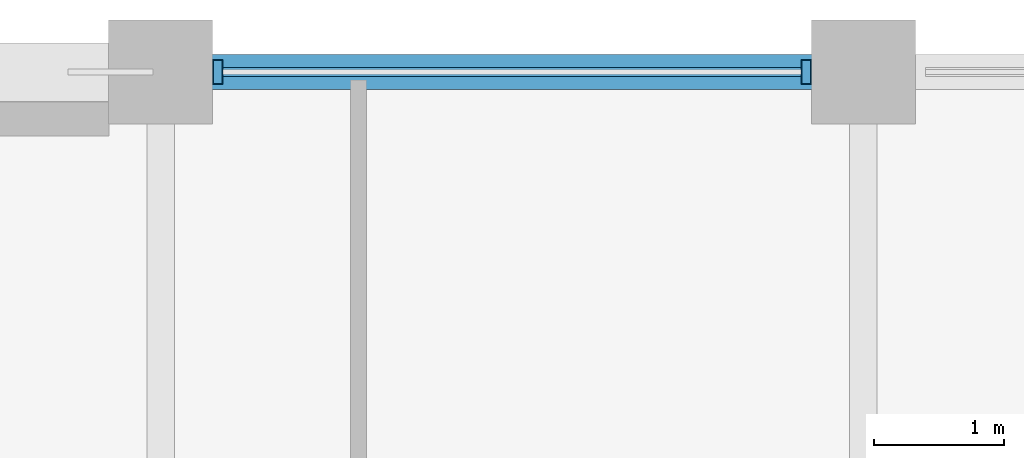
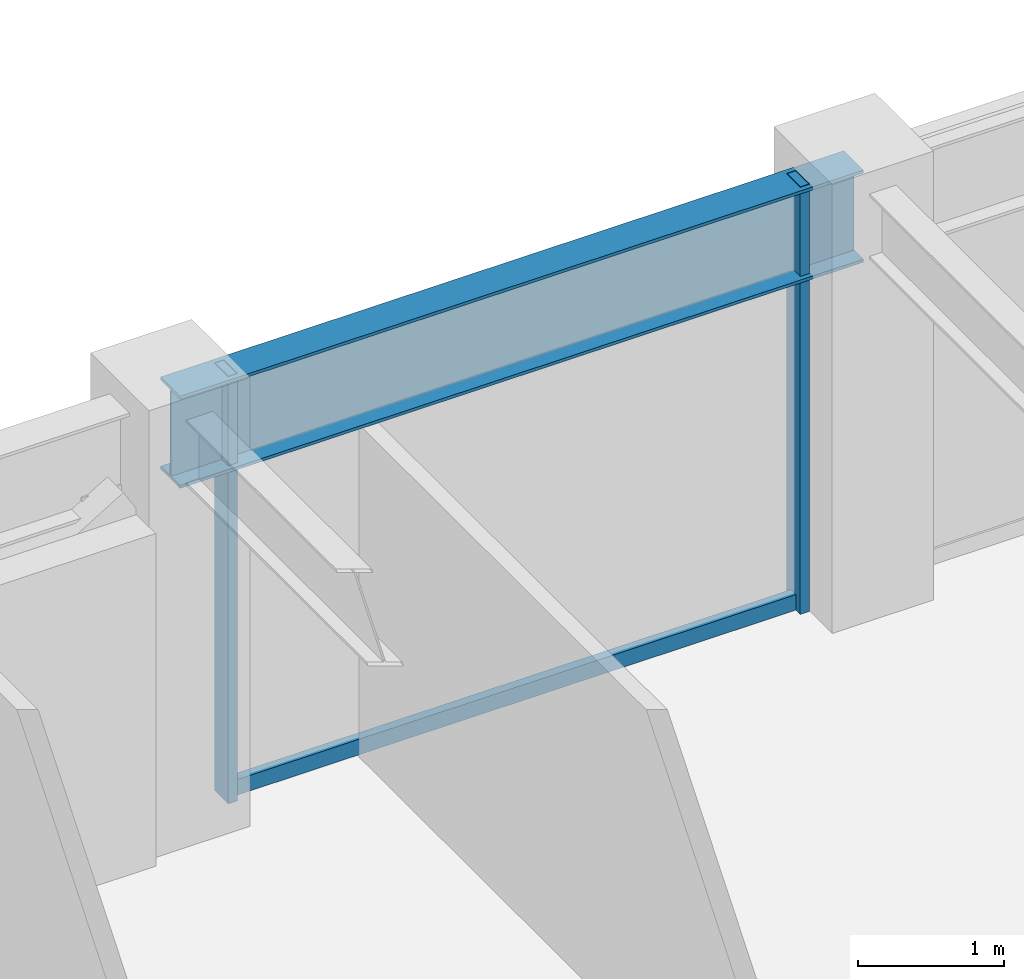
# One storey, part 23 of 32: 3 members, 1 beam, 1 element without a shape of its own.
"""IFC4 building model written with IfcOpenShell, lengths in metres."""

import ifcopenshell
import ifcopenshell.guid

model = None  # the IFC model being written
_history = None  # IfcOwnerHistory: only IFC2X3 demands one
_inside = {}  # id of a spatial element -> (the spatial element, [elements in it])
_under = {}  # id of a project, library or spatial element -> (it, [spatial elements below it])
_declared = {}  # id of a project -> (the project, [libraries it declares])
_typed = {}  # id of a type object -> (the type object, [elements of that type])
_made_of = {}  # id of a material, layer set ... -> (it, [elements and type objects made of it])


def new_model(schema):
    """Start an empty IFC model of exactly this schema.

    Asked for "IFC4X3", IfcOpenShell would pick the latest addendum, in which some entities
    have other attributes; the version numbers below select the first issue.
    IFC2X3 requires an IfcOwnerHistory on every rooted entity: one is made here for all.
    """
    global model, _history
    if schema == "IFC4X3":
        model = ifcopenshell.file(schema_version=(4, 3, 0, 0))
    else:
        model = ifcopenshell.file(schema=schema)
    _inside.clear()
    _under.clear()
    _declared.clear()
    _typed.clear()
    _made_of.clear()
    _history = None
    if model.schema == "IFC2X3":
        org = make("IfcOrganization", Name="unknown")
        user = make(
            "IfcPersonAndOrganization",
            ThePerson=make("IfcPerson", FamilyName="unknown"),
            TheOrganization=org,
        )
        app = make(
            "IfcApplication",
            ApplicationDeveloper=org,
            Version="unknown",
            ApplicationFullName="unknown",
            ApplicationIdentifier="unknown",
        )
        _history = make(
            "IfcOwnerHistory",
            OwningUser=user,
            OwningApplication=app,
            ChangeAction="ADDED",
            CreationDate=0,
        )
    return model


def make(cls, **values):
    """One entity of the class cls with the attributes given. An attribute that is None is left unset."""
    return model.create_entity(
        cls, **{name: value for name, value in values.items() if value is not None}
    )


def rooted(cls, **values):
    """An entity with a GlobalId (a new one), such as an element, a storey or a relation."""
    return make(cls, GlobalId=ifcopenshell.guid.new(), OwnerHistory=_history, **values)


def si_unit(unit_type, name, prefix=None):
    """IfcSIUnit, for example si_unit("LENGTHUNIT", "METRE", prefix="MILLI")."""
    return make("IfcSIUnit", UnitType=unit_type, Prefix=prefix, Name=name)


def assignment(units):
    """IfcUnitAssignment: the units of a project."""
    return None if units is None else make("IfcUnitAssignment", Units=units)


def point(xyz):
    """IfcCartesianPoint."""
    return None if xyz is None else make("IfcCartesianPoint", Coordinates=xyz)


def direction(xyz):
    """IfcDirection."""
    return None if xyz is None else make("IfcDirection", DirectionRatios=xyz)


def frame(location, z_axis=None, x_axis=None):
    """IfcAxis2Placement3D, a coordinate frame: its origin and axes. An axis left out is left unset."""
    return make(
        "IfcAxis2Placement3D",
        Location=point(location),
        Axis=direction(z_axis),
        RefDirection=direction(x_axis),
    )


def frame_2d(location, x_axis=None):
    """IfcAxis2Placement2D, a coordinate frame in the plane: its origin and x axis."""
    return make(
        "IfcAxis2Placement2D", Location=point(location), RefDirection=direction(x_axis)
    )


def origin():
    """The frame at (0, 0, 0) with its axes left unset."""
    return frame((0.0, 0.0, 0.0))


def origin_2d():
    """The frame at (0, 0) in the plane with its x axis left unset."""
    return frame_2d((0.0, 0.0))


def place(relative_to, where):
    """IfcLocalPlacement: puts the frame where relative to a parent placement (None: the world)."""
    return make(
        "IfcLocalPlacement", PlacementRelTo=relative_to, RelativePlacement=where
    )


def context(
    kind, dimensions, precision=None, world=None, true_north=None, identifier=None
):
    """IfcGeometricRepresentationContext, for example the 3D "Model" context."""
    return make(
        "IfcGeometricRepresentationContext",
        ContextIdentifier=identifier,
        ContextType=kind,
        CoordinateSpaceDimension=dimensions,
        Precision=precision,
        WorldCoordinateSystem=world,
        TrueNorth=true_north,
    )


def subcontext(parent, identifier, kind, view, scale=None):
    """IfcGeometricRepresentationSubContext, for example "Body" below "Model"."""
    return make(
        "IfcGeometricRepresentationSubContext",
        ContextIdentifier=identifier,
        ContextType=kind,
        ParentContext=parent,
        TargetScale=scale,
        TargetView=view,
    )


def project(units=None, contexts=None):
    """IfcProject with its units and contexts."""
    return rooted(
        "IfcProject",
        Name="project",
        RepresentationContexts=contexts,
        UnitsInContext=assignment(units),
    )


def spatial(cls, under=None, at=None, **own):
    """A site, building, storey or space (cls), placed at a placement, below another one or the project."""
    s = rooted(cls, ObjectPlacement=at, **own)
    if under is not None:
        _under.setdefault(under.id(), (under, []))[1].append(s)
    return s


def profile(cls, at=None, kind="AREA", **sizes):
    """A parametric profile (cls). Its sizes go by their IFC names, for example OverallWidth=200.0."""
    return make(cls, ProfileType=kind, Position=at, **sizes)


def hollow_rectangle(**sizes):
    """IfcRectangleHollowProfileDef."""
    return profile("IfcRectangleHollowProfileDef", **sizes)


def i_section(**sizes):
    """IfcIShapeProfileDef."""
    return profile("IfcIShapeProfileDef", **sizes)


def extrude(swept, where, along, depth):
    """IfcExtrudedAreaSolid: the profile swept, set in the frame where, extruded along a direction by depth."""
    return make(
        "IfcExtrudedAreaSolid",
        SweptArea=swept,
        Position=where,
        ExtrudedDirection=direction(along),
        Depth=depth,
    )


def shape(context_of_items, identifier, shape_type, items):
    """IfcShapeRepresentation: the items that make up one representation, for example the "Body"."""
    return make(
        "IfcShapeRepresentation",
        ContextOfItems=context_of_items,
        RepresentationIdentifier=identifier,
        RepresentationType=shape_type,
        Items=items,
    )


def material(Name=None, Category=None):
    """IfcMaterial."""
    return make("IfcMaterial", Name=Name, Category=Category)


def layer(
    of_material, thickness, ventilated=None, Name=None, Category=None, Priority=None
):
    """IfcMaterialLayer: one layer of a wall or slab, of a material (None: an air gap)."""
    return make(
        "IfcMaterialLayer",
        Material=of_material,
        LayerThickness=thickness,
        IsVentilated=ventilated,
        Name=Name,
        Category=Category,
        Priority=Priority,
    )


def layer_set(layers, Name=None):
    """IfcMaterialLayerSet."""
    return make("IfcMaterialLayerSet", MaterialLayers=layers, LayerSetName=Name)


def material_profile(
    of_material, cross_section, Name=None, Category=None, Priority=None
):
    """IfcMaterialProfile: a cross section and its material."""
    return make(
        "IfcMaterialProfile",
        Name=Name,
        Material=of_material,
        Profile=cross_section,
        Priority=Priority,
        Category=Category,
    )


def profile_set(profiles, Name=None, composite=None):
    """IfcMaterialProfileSet."""
    return make(
        "IfcMaterialProfileSet",
        Name=Name,
        MaterialProfiles=profiles,
        CompositeProfile=composite,
    )


def made_of(thing, what):
    """Note that an element or type object is made of a material, layer set ...; save() writes the relation."""
    if what is not None:
        _made_of.setdefault(what.id(), (what, []))[1].append(thing)
    return thing


def type_object(cls, material=None, **own):
    """A type object (cls), such as IfcWallType, which elements share."""
    return made_of(rooted(cls, **own), material)


def element(
    cls,
    number,
    at=None,
    inside=None,
    cuts=None,
    type_object=None,
    material=None,
    context=None,
    identifier="Body",
    shape_type=None,
    held_by="IfcProductDefinitionShape",
    body=None,
    shapes=None,
    **own,
):
    """One element of the class cls, such as IfcWall. Its Tag is "e" and its number.

    at: its placement. inside: the storey or other place that contains it. cuts: it is an
    opening in that element (IfcRelVoidsElement). A single representation is given by context,
    identifier, shape_type and body (its items); several are given by shapes. held_by: the class
    of the entity that holds the representations. save() writes the other relations.
    """
    e = rooted(cls, Tag="e%d" % number, ObjectPlacement=at, **own)
    if body is not None:
        shapes = [shape(context, identifier, shape_type, body)]
    if shapes is not None:
        e.Representation = make(held_by, Representations=shapes)
    if inside is not None:
        _inside.setdefault(inside.id(), (inside, []))[1].append(e)
    if cuts is not None:
        rooted(
            "IfcRelVoidsElement", RelatingBuildingElement=cuts, RelatedOpeningElement=e
        )
    if type_object is not None:
        _typed.setdefault(type_object.id(), (type_object, []))[1].append(e)
    return made_of(e, material)


def aggregate(whole, parts):
    """IfcRelAggregates: a whole, such as a stair, and the parts it consists of."""
    return rooted("IfcRelAggregates", RelatingObject=whole, RelatedObjects=parts)


def save(model, path):
    """Write the relations noted so far, then the file.

    IfcRelAggregates (storeys below a building ...), IfcRelContainedInSpatialStructure (elements
    in a storey), IfcRelDefinesByType, IfcRelAssociatesMaterial and IfcRelDeclares: one each for
    every whole, place, type object, material and project.
    """
    for whole, parts in _under.values():
        aggregate(whole, parts)
    for where, things in _inside.values():
        rooted(
            "IfcRelContainedInSpatialStructure",
            RelatedElements=things,
            RelatingStructure=where,
        )
    for kind, things in _typed.values():
        rooted("IfcRelDefinesByType", RelatedObjects=things, RelatingType=kind)
    for what, things in _made_of.values():
        rooted("IfcRelAssociatesMaterial", RelatedObjects=things, RelatingMaterial=what)
    for by, libraries in _declared.values():
        rooted("IfcRelDeclares", RelatingContext=by, RelatedDefinitions=libraries)
    model.write(path)


model = new_model("IFC4")

# Units and contexts
model_context = context("Model", 3, precision=1e-05, world=origin(), true_north=direction((0.0, 1.0)))
body_context = subcontext(model_context, "Body", "Model", "MODEL_VIEW")
ifc_project = project(units=[si_unit("LENGTHUNIT", "METRE"), si_unit("AREAUNIT", "SQUARE_METRE"), si_unit("VOLUMEUNIT", "CUBIC_METRE"), si_unit("PLANEANGLEUNIT", "RADIAN"), si_unit("MASSUNIT", "GRAM", prefix="KILO")], contexts=[model_context])

# Site, building, storey
site_placement = place(None, origin())
site = spatial("IfcSite", under=ifc_project, at=site_placement, CompositionType="ELEMENT")
building_placement = place(site_placement, origin())
building = spatial("IfcBuilding", under=site, at=building_placement, Name="Surkhivell Harbour Commons", CompositionType="ELEMENT")
storey_placement = place(building_placement, frame((0.0, 0.0, 223.5)))
storey = spatial("IfcBuildingStorey", under=building, at=storey_placement, Name="L58", CompositionType="ELEMENT", Elevation=223.5)

# Beam
ifc_material_1 = material(Name="Steel S355", Category="steel")
ifc_material_profile_1 = material_profile(ifc_material_1, i_section(OverallWidth=0.26806640625, OverallDepth=0.77001953125, WebThickness=0.015625, FlangeThickness=0.025390625, at=origin_2d()), Name="UB762x267x197")
ifc_profile_set_1 = profile_set([ifc_material_profile_1], Name="Steel S355")
beam_type = type_object("IfcBeamType", Name="BM-SPN-762", PredefinedType="SPANDREL", material=ifc_profile_set_1)
beam_placement = place(storey_placement, frame((5.39990234375, 25.89990234375, 3.18505859375), z_axis=(1.0, 0.0, 0.0), x_axis=(0.0, 1.0, 0.0)))
element("IfcBeam", 1, at=beam_placement, inside=storey, type_object=beam_type, Name="L58 Tube Spandrel (5.4,25.9)", PredefinedType="SPANDREL", context=body_context, shape_type="SweptSolid", body=[
    extrude(i_section(OverallWidth=0.26806640625, OverallDepth=0.77001953125, WebThickness=0.015625, FlangeThickness=0.025390625, at=origin_2d()), origin(), (0.0, 0.0, 1.0), 5.400146484375),
])

# Curtain wall, members
ifc_material_2 = material(Name="Anodised pale-metal aluminium and insulated glazing", Category="aluminium")
ifc_layer = layer(ifc_material_2, 0.18994140625)
ifc_layer_set = layer_set([ifc_layer], Name="Anodised pale-metal aluminium and insulated glazing")
curtain_wall_type = type_object("IfcCurtainWallType", Name="CW-SYS-Z3", PredefinedType="NOTDEFINED", material=ifc_layer_set)
curtain_wall_placement = place(storey_placement, origin())
curtain_wall = element("IfcCurtainWall", 2, at=curtain_wall_placement, inside=storey, type_object=curtain_wall_type, Name="L58 Curtain Wall CW-L58-E07S1", PredefinedType="NOTDEFINED")
ifc_material_3 = material(Name="Anodised pale-metal aluminium alloy 6063-T6", Category="aluminium")
ifc_material_profile_2 = material_profile(ifc_material_3, hollow_rectangle(XDim=0.074951171875, YDim=0.18994140625, WallThickness=0.00390625, at=origin_2d()), Name="ALU-MULL-75x190")
ifc_profile_set_2 = profile_set([ifc_material_profile_2], Name="Anodised pale-metal aluminium alloy 6063-T6")
member_type_1 = type_object("IfcMemberType", Name="CWM-190", PredefinedType="MULLION", material=ifc_profile_set_2)
member_1_placement = place(storey_placement, frame((10.360595703125, 25.89990234375, 0.0), z_axis=(0.0, 0.0, 1.0), x_axis=(-1.0, 0.0, 0.0)))
member_1 = element("IfcMember", 3, at=member_1_placement, type_object=member_type_1, Name="CW-Z3 mullion 2", PredefinedType="MULLION", context=body_context, shape_type="SweptSolid", body=[
    extrude(hollow_rectangle(XDim=0.074951171875, YDim=0.18994140625, WallThickness=0.00390625, at=origin_2d()), origin(), (0.0, 0.0, 1.0), 3.570068359375),
])
member_2_placement = place(storey_placement, frame((5.839599609375, 25.89990234375, 0.0), z_axis=(0.0, 0.0, 1.0), x_axis=(-1.0, 0.0, 0.0)))
member_2 = element("IfcMember", 4, at=member_2_placement, type_object=member_type_1, Name="CW-Z3 mullion 3", PredefinedType="MULLION", context=body_context, shape_type="SweptSolid", body=[
    extrude(hollow_rectangle(XDim=0.074951171875, YDim=0.18994140625, WallThickness=0.00390625, at=origin_2d()), origin(), (0.0, 0.0, 1.0), 3.570068359375),
])
ifc_material_4 = material(Name="Champagne anodised aluminium alloy 6063-T6", Category="aluminium")
ifc_material_profile_3 = material_profile(ifc_material_4, hollow_rectangle(XDim=0.070068359375, YDim=0.1298828125, WallThickness=0.00341796875, at=origin_2d()), Name="ALU-TRAN-70x130")
ifc_profile_set_3 = profile_set([ifc_material_profile_3], Name="Champagne anodised aluminium alloy 6063-T6")
member_type_2 = type_object("IfcMemberType", Name="CWT-130", PredefinedType="USERDEFINED", material=ifc_profile_set_3)
member_3_placement = place(storey_placement, frame((10.322998046875, 25.89990234375, 0.06494140625), z_axis=(-1.0, 0.0, 0.0), x_axis=(0.0, -1.0, 0.0)))
member_3 = element("IfcMember", 5, at=member_3_placement, type_object=member_type_2, Name="CW-Z3 transom 2.1", ObjectType="TRANSOM", PredefinedType="USERDEFINED", context=body_context, shape_type="SweptSolid", body=[
    extrude(hollow_rectangle(XDim=0.070068359375, YDim=0.1298828125, WallThickness=0.00341796875, at=origin_2d()), origin(), (0.0, 0.0, 1.0), 4.446044921875),
])
aggregate(curtain_wall, [member_1, member_2, member_3])

save(model, "model.ifc")
